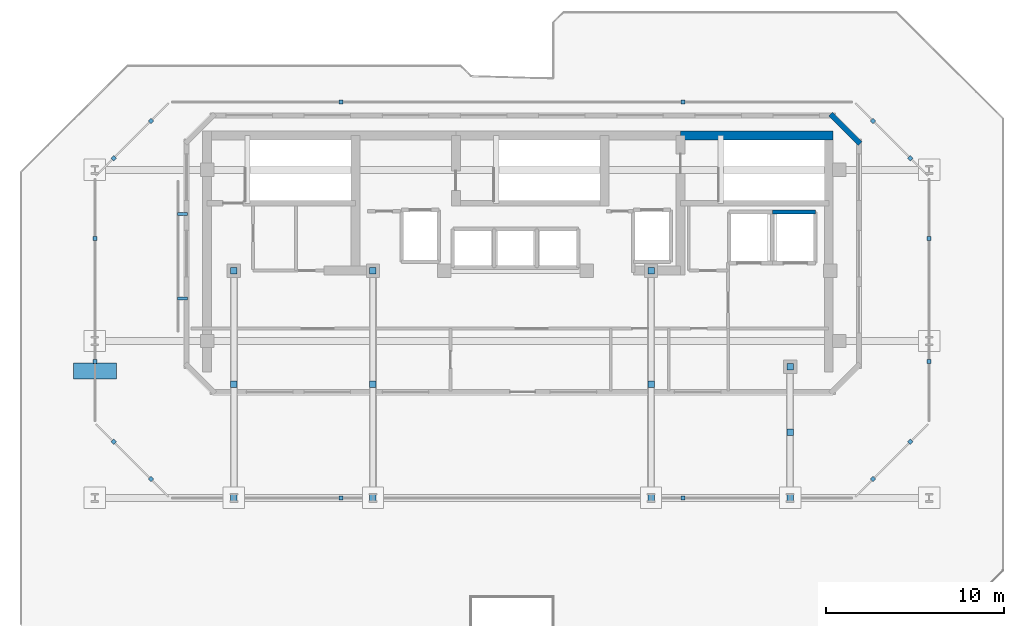
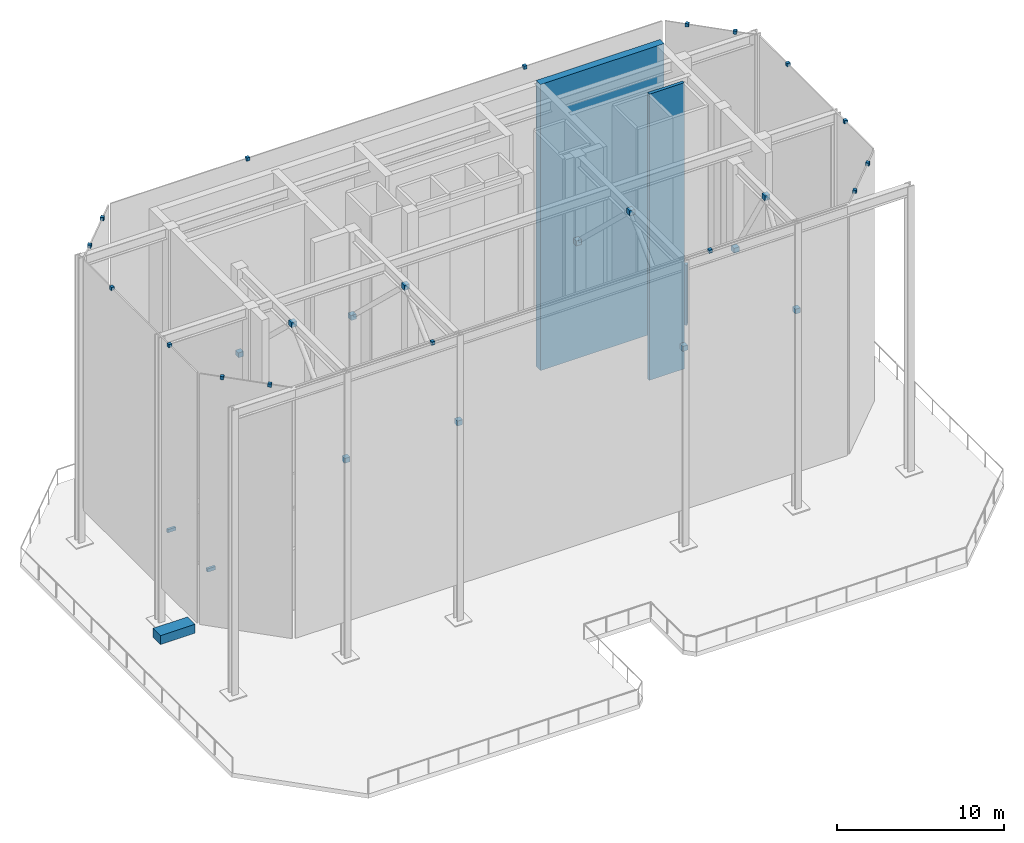
# One storey, part 4 of 5: 31 discrete accessories, 3 walls.
"""IFC4 building model written with IfcOpenShell, lengths in metres."""

from ifc_helpers import new_model, si_unit, direction, frame, frame_2d, origin, origin_2d, place, context, subcontext, project, spatial, rectangle, extrude, material, layer, layer_set, type_object, element, save


model = new_model("IFC4")

# Units and contexts
model_context = context("Model", 3, precision=1e-05, world=origin(), true_north=direction((0.0, 1.0)))
body_context = subcontext(model_context, "Body", "Model", "MODEL_VIEW")
ifc_project = project(units=[si_unit("LENGTHUNIT", "METRE"), si_unit("AREAUNIT", "SQUARE_METRE"), si_unit("VOLUMEUNIT", "CUBIC_METRE"), si_unit("PLANEANGLEUNIT", "RADIAN"), si_unit("MASSUNIT", "GRAM", prefix="KILO")], contexts=[model_context])

# Site, building, storey
site_placement = place(None, origin())
site = spatial("IfcSite", under=ifc_project, at=site_placement, CompositionType="ELEMENT")
building_placement = place(site_placement, origin())
building = spatial("IfcBuilding", under=site, at=building_placement, Name="Kestravale Grand Hotel", CompositionType="ELEMENT")
storey_placement = place(building_placement, frame((0.0, 0.0, 311.39990234375)))
storey = spatial("IfcBuildingStorey", under=building, at=storey_placement, Name="Roof", CompositionType="ELEMENT", Elevation=311.39990234375)

# Walls
ifc_material_1 = material(Name="Concrete f'c 50 MPa", Category="concrete")
ifc_layer_1 = layer(ifc_material_1, 0.5)
ifc_layer_set_1 = layer_set([ifc_layer_1], Name="EW-CORE-500")
wall_type_1 = type_object("IfcWallType", Name="EW-CORE-500", PredefinedType="SHEAR", material=ifc_layer_set_1)
wall_1_placement = place(storey_placement, frame((48.449951171875, 40.320068359375, 0.0), z_axis=(0.0, 0.0, 1.0), x_axis=(1.0, 0.0, 0.0)))
element("IfcWall", 1, at=wall_1_placement, inside=storey, type_object=wall_type_1, Name="Roof core shear wall N3", PredefinedType="SHEAR", context=body_context, shape_type="SweptSolid", body=[
    extrude(rectangle(XDim=8.570068359375, YDim=0.5, at=frame_2d((4.28515625, 0.0))), origin(), (0.0, 0.0, 1.0), 20.9501953125),
])
ifc_material_2 = material(Name="Precast concrete f'c 45 MPa", Category="concrete")
ifc_layer_2 = layer(ifc_material_2, 0.280029296875)
ifc_layer_set_2 = layer_set([ifc_layer_2], Name="EW-PREC-280")
wall_type_2 = type_object("IfcWallType", Name="EW-PREC-280", PredefinedType="SOLIDWALL", material=ifc_layer_set_2)
wall_2_placement = place(storey_placement, frame((58.529296875, 39.872802734375, 0.0), z_axis=(0.0, 0.0, 1.0), x_axis=(-0.707106781187, 0.707106781187, 0.0)))
element("IfcWall", 2, at=wall_2_placement, inside=storey, type_object=wall_type_2, Name="Roof fluted precast facade wall 4", PredefinedType="SOLIDWALL", context=body_context, shape_type="SweptSolid", body=[
    extrude(rectangle(XDim=2.342529296875, YDim=0.280029296875, at=frame_2d((1.17138671875, 0.0))), origin(), (0.0, 0.0, 1.0), 4.400146484375),
])
ifc_material_3 = material(Name="Concrete f'c 45 MPa", Category="concrete")
ifc_layer_3 = layer(ifc_material_3, 0.219970703125)
ifc_layer_set_3 = layer_set([ifc_layer_3], Name="IW-SHAFT-220")
wall_type_3 = type_object("IfcWallType", Name="IW-SHAFT-220", PredefinedType="SHEAR", material=ifc_layer_set_3)
wall_3_placement = place(storey_placement, frame((53.60009765625, 36.030029296875, 0.0), z_axis=(0.0, 0.0, 1.0), x_axis=(1.0, 0.0, 0.0)))
element("IfcWall", 3, at=wall_3_placement, inside=storey, type_object=wall_type_3, Name="Roof SL-2 north shaft wall", PredefinedType="SHEAR", context=body_context, shape_type="SweptSolid", body=[
    extrude(rectangle(XDim=2.419921875, YDim=0.219970703125, at=frame_2d((1.2099609375, 0.0))), origin(), (0.0, 0.0, 1.0), 20.9501953125),
])

# Discrete accessories
ifc_material_4 = material(Name="Steel ASTM A572 Grade 50 hot-dip galvanised bracket", Category="steel")
discrete_accessory_type_1 = type_object("IfcDiscreteAccessoryType", Name="ACC-BRK-STL", PredefinedType="BRACKET", material=ifc_material_4)
for number, where, z_axis, x_axis, name in (
    (4, (23.39990234375, 32.75, 14.31982421875), (0.0, 0.0, 1.0), (1.0, 0.0, 0.0), "Crown north V-strut wall bracket 4"),
    (5, (23.39990234375, 20.0, 14.31982421875), (0.0, 0.0, 1.0), (1.0, 0.0, 0.0), "Crown south V-strut column bracket 4"),
    (6, (23.39990234375, 26.375, 20.38427734375), (0.0, 0.0, 1.0), (1.0, 0.0, 0.0), "Crown V-strut apex gusset bracket 4"),
    (7, (31.199951171875, 32.75, 14.31982421875), (0.0, 0.0, 1.0), (1.0, 0.0, 0.0), "Crown north V-strut wall bracket 5"),
    (8, (31.199951171875, 20.0, 14.31982421875), (0.0, 0.0, 1.0), (1.0, 0.0, 0.0), "Crown south V-strut column bracket 5"),
    (9, (31.199951171875, 26.375, 20.38427734375), (0.0, 0.0, 1.0), (1.0, 0.0, 0.0), "Crown V-strut apex gusset bracket 5"),
    (10, (46.800048828125, 32.75, 14.31982421875), (0.0, 0.0, 1.0), (1.0, 0.0, 0.0), "Crown north V-strut wall bracket 8"),
    (11, (46.800048828125, 20.0, 14.31982421875), (0.0, 0.0, 1.0), (1.0, 0.0, 0.0), "Crown south V-strut column bracket 8"),
    (12, (46.800048828125, 26.375, 20.38427734375), (0.0, 0.0, 1.0), (1.0, 0.0, 0.0), "Crown V-strut apex gusset bracket 8"),
    (13, (54.60009765625, 27.35009765625, 14.31982421875), (0.0, 0.0, 1.0), (1.0, 0.0, 0.0), "Crown north V-strut wall bracket 9"),
    (14, (54.60009765625, 20.0, 14.31982421875), (0.0, 0.0, 1.0), (1.0, 0.0, 0.0), "Crown south V-strut column bracket 9"),
    (15, (54.60009765625, 23.675048828125, 20.38427734375), (0.0, 0.0, 1.0), (1.0, 0.0, 0.0), "Crown V-strut apex gusset bracket 9"),
):
    element("IfcDiscreteAccessory", number, at=place(storey_placement, frame(where, z_axis=z_axis, x_axis=x_axis)), inside=storey, type_object=discrete_accessory_type_1, Name=name, PredefinedType="BRACKET", context=body_context, shape_type="SweptSolid", body=[
        extrude(rectangle(XDim=0.360107421875, YDim=0.360107421875, at=origin_2d()), origin(), (0.0, 0.0, 1.0), 0.360107421875),
    ])
for number, where, z_axis, x_axis, name in (
    (16, (20.5048828125, 35.934326171875, 0.56005859375), (0.0, 0.0, 1.0), (0.0, -1.0, 0.0), "Roof solar screen standoff bracket 1"),
    (17, (20.5048828125, 31.185546875, 0.56005859375), (0.0, 0.0, 1.0), (0.0, -1.0, 0.0), "Roof solar screen standoff bracket 2"),
):
    element("IfcDiscreteAccessory", number, at=place(storey_placement, frame(where, z_axis=z_axis, x_axis=x_axis)), inside=storey, type_object=discrete_accessory_type_1, Name=name, PredefinedType="BRACKET", context=body_context, shape_type="SweptSolid", body=[
        extrude(rectangle(XDim=0.159912109375, YDim=0.56005859375, at=origin_2d()), origin(), (0.0, 0.0, 1.0), 0.239990234375),
    ])
for number, where, z_axis, x_axis, name in (
    (18, (29.39990234375, 20.0, 20.80029296875), (0.0, 0.0, 1.0), (1.0, 0.0, 0.0), "Crown screen canopy anchor bracket 1.1"),
    (19, (48.60009765625, 20.0, 20.80029296875), (0.0, 0.0, 1.0), (1.0, 0.0, 0.0), "Crown screen canopy anchor bracket 1.2"),
    (20, (59.25, 21.050048828125, 20.80029296875), (0.0, 0.0, 1.0), (0.707106781187, 0.707106781187, 0.0), "Crown screen canopy anchor bracket 2.1"),
    (21, (61.35009765625, 23.14990234375, 20.80029296875), (0.0, 0.0, 1.0), (0.707106781187, 0.707106781187, 0.0), "Crown screen canopy anchor bracket 2.2"),
    (22, (62.39990234375, 27.64990234375, 20.80029296875), (0.0, 0.0, 1.0), (0.0, 1.0, 0.0), "Crown screen canopy anchor bracket 3.1"),
    (23, (62.39990234375, 34.550048828125, 20.80029296875), (0.0, 0.0, 1.0), (0.0, 1.0, 0.0), "Crown screen canopy anchor bracket 3.2"),
    (24, (61.35009765625, 39.050048828125, 20.80029296875), (0.0, 0.0, 1.0), (-0.707106781187, 0.707106781187, 0.0), "Crown screen canopy anchor bracket 4.1"),
    (25, (59.25, 41.14990234375, 20.80029296875), (0.0, 0.0, 1.0), (-0.707106781187, 0.707106781187, 0.0), "Crown screen canopy anchor bracket 4.2"),
    (26, (48.60009765625, 42.199951171875, 20.80029296875), (0.0, 0.0, 1.0), (-1.0, 0.0, 0.0), "Crown screen canopy anchor bracket 5.1"),
    (27, (29.39990234375, 42.199951171875, 20.80029296875), (0.0, 0.0, 1.0), (-1.0, 0.0, 0.0), "Crown screen canopy anchor bracket 5.2"),
    (28, (18.75, 41.14990234375, 20.80029296875), (0.0, 0.0, 1.0), (-0.707106781187, -0.707106781187, 0.0), "Crown screen canopy anchor bracket 6.1"),
    (29, (16.64990234375, 39.050048828125, 20.80029296875), (0.0, 0.0, 1.0), (-0.707106781187, -0.707106781187, 0.0), "Crown screen canopy anchor bracket 6.2"),
    (30, (15.60009765625, 34.550048828125, 20.80029296875), (0.0, 0.0, 1.0), (0.0, -1.0, 0.0), "Crown screen canopy anchor bracket 7.1"),
    (31, (15.60009765625, 27.64990234375, 20.80029296875), (0.0, 0.0, 1.0), (0.0, -1.0, 0.0), "Crown screen canopy anchor bracket 7.2"),
    (32, (16.64990234375, 23.14990234375, 20.80029296875), (0.0, 0.0, 1.0), (0.707106781187, -0.707106781187, 0.0), "Crown screen canopy anchor bracket 8.1"),
    (33, (18.75, 21.050048828125, 20.80029296875), (0.0, 0.0, 1.0), (0.707106781187, -0.707106781187, 0.0), "Crown screen canopy anchor bracket 8.2"),
):
    element("IfcDiscreteAccessory", number, at=place(storey_placement, frame(where, z_axis=z_axis, x_axis=x_axis)), inside=storey, type_object=discrete_accessory_type_1, Name=name, PredefinedType="BRACKET", context=body_context, shape_type="SweptSolid", body=[
        extrude(rectangle(XDim=0.219970703125, YDim=0.219970703125, at=origin_2d()), origin(), (0.0, 0.0, 1.0), 0.239990234375),
    ])
ifc_material_5 = material(Name="Architectural precast concrete planter with xeriscape soil", Category="concrete")
discrete_accessory_type_2 = type_object("IfcDiscreteAccessoryType", Name="ACC-PLN-GDN", PredefinedType="USERDEFINED", material=ifc_material_5)
discrete_accessory_placement = place(storey_placement, frame((15.6142578125, 27.1171875, -0.0048828125), z_axis=(0.0, 0.0, 1.0), x_axis=(1.0, 0.0, 0.0)))
element("IfcDiscreteAccessory", 34, at=discrete_accessory_placement, inside=storey, type_object=discrete_accessory_type_2, Name="Roof landscaped garden planter 1", ObjectType="PLANTER", PredefinedType="USERDEFINED", context=body_context, shape_type="SweptSolid", body=[
    extrude(rectangle(XDim=2.39990234375, YDim=0.89990234375, at=origin_2d()), origin(), (0.0, 0.0, 1.0), 0.64990234375),
])

save(model, "model.ifc")
